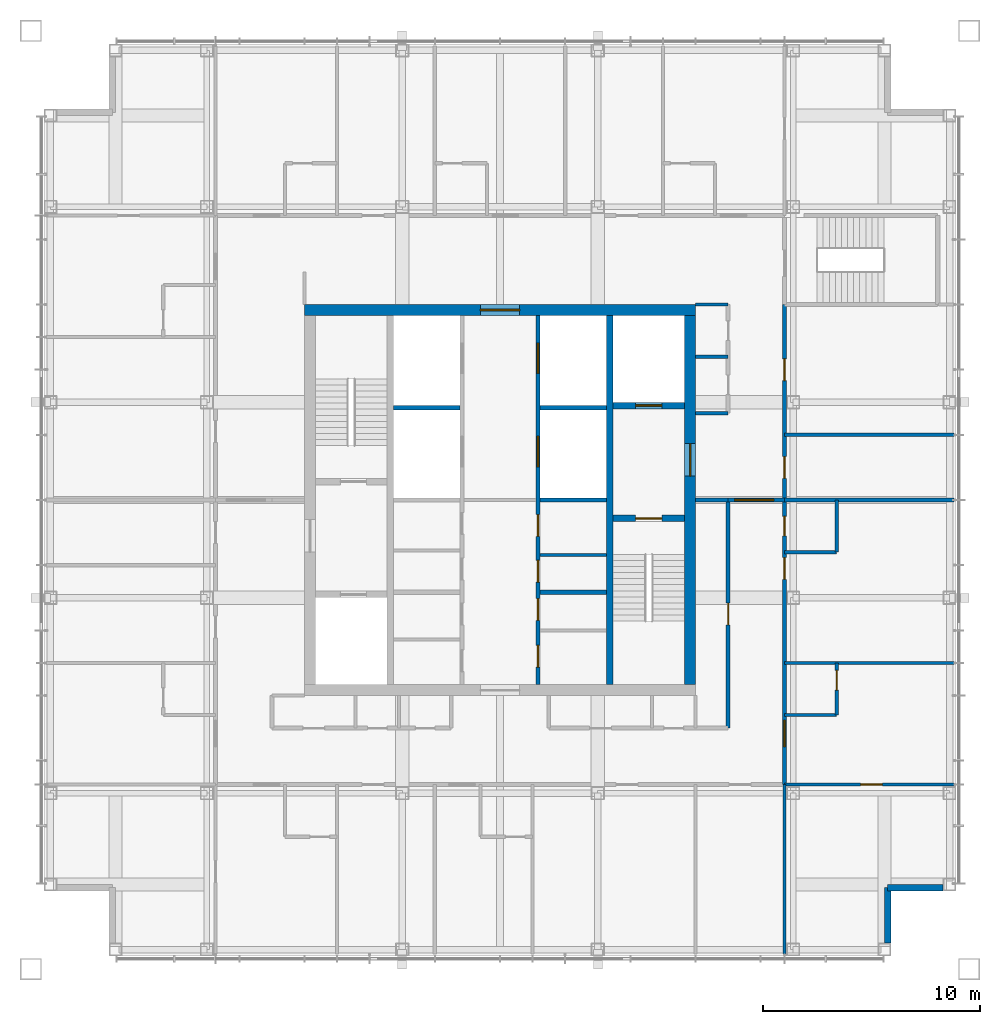
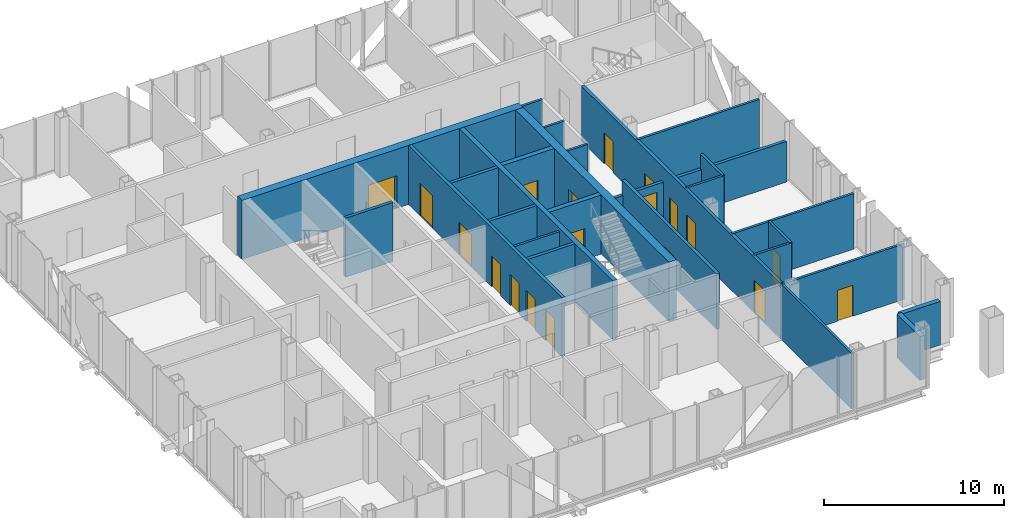
# One storey, part 9 of 13: 29 walls, 19 doors, 19 openings.
"""IFC4 building model written with IfcOpenShell, lengths in metres."""

from ifc_helpers import new_model, si_unit, direction, frame, frame_2d, origin, place, context, subcontext, project, spatial, rectangle, extrude, material, layer, layer_set, type_object, element, fill, save


model = new_model("IFC4")

# Units and contexts
model_context = context("Model", 3, precision=1e-05, world=origin(), true_north=direction((0.0, 1.0)))
body_context = subcontext(model_context, "Body", "Model", "MODEL_VIEW")
ifc_project = project(units=[si_unit("LENGTHUNIT", "METRE"), si_unit("AREAUNIT", "SQUARE_METRE"), si_unit("VOLUMEUNIT", "CUBIC_METRE"), si_unit("PLANEANGLEUNIT", "RADIAN"), si_unit("MASSUNIT", "GRAM", prefix="KILO")], contexts=[model_context])

# Site, building, storey
site_placement = place(None, origin())
site = spatial("IfcSite", under=ifc_project, at=site_placement, CompositionType="ELEMENT")
building_placement = place(site_placement, origin())
building = spatial("IfcBuilding", under=site, at=building_placement, Name="Malebo Sky Hospital", CompositionType="ELEMENT")
storey_placement = place(building_placement, frame((0.0, 0.0, 274.0)))
storey = spatial("IfcBuildingStorey", under=building, at=storey_placement, Name="L66", CompositionType="ELEMENT", Elevation=274.0)

# Wall, openings, doors
ifc_material_1 = material(Name="Concrete C80/95", Category="concrete")
ifc_layer_1 = layer(ifc_material_1, 0.199951171875)
ifc_layer_set_1 = layer_set([ifc_layer_1], Name="CORE INNER WALL 200")
wall_type_1 = type_object("IfcWallType", Name="CORE INNER WALL 200", PredefinedType="SHEAR", material=ifc_layer_set_1)
wall_1_placement = place(storey_placement, frame((61.75, 53.5, 0.0), z_axis=(0.0, 0.0, 1.0), x_axis=(0.0, 1.0, 0.0)))
wall_1 = element("IfcWall", 1, at=wall_1_placement, inside=storey, type_object=wall_type_1, Name="Core wall LE L66", PredefinedType="SHEAR", context=body_context, shape_type="SweptSolid", body=[
    extrude(rectangle(XDim=17.0, YDim=0.199951171875, at=frame_2d((8.5, 0.0))), origin(), (0.0, 0.0, 1.0), 4.0),
])
opening_1_placement = place(wall_1_placement, frame((0.8076171875, 0.0, 0.0)))
opening_1 = element("IfcOpeningElement", 2, at=opening_1_placement, cuts=wall_1, Name="Opening D17", PredefinedType="OPENING", context=body_context, shape_type="SweptSolid", body=[
    extrude(rectangle(XDim=1.0, YDim=2.10009765625, at=frame_2d((0.5, 1.050048828125))), frame((0.0, 0.10986328125, 0.0), z_axis=(0.0, -1.0, 0.0), x_axis=(1.0, 0.0, 0.0)), (0.0, 0.0, 1.0), 0.219970703125),
])
opening_2_placement = place(wall_1_placement, frame((2.95751953125, 0.0, 0.0)))
opening_2 = element("IfcOpeningElement", 3, at=opening_2_placement, cuts=wall_1, Name="Opening D17", PredefinedType="OPENING", context=body_context, shape_type="SweptSolid", body=[
    extrude(rectangle(XDim=1.0, YDim=2.10009765625, at=frame_2d((0.5, 1.050048828125))), frame((0.0, 0.10986328125, 0.0), z_axis=(0.0, -1.0, 0.0), x_axis=(1.0, 0.0, 0.0)), (0.0, 0.0, 1.0), 0.219970703125),
])
opening_3_placement = place(wall_1_placement, frame((4.722412109375, 0.0, 0.0)))
opening_3 = element("IfcOpeningElement", 4, at=opening_3_placement, cuts=wall_1, Name="Opening D17", PredefinedType="OPENING", context=body_context, shape_type="SweptSolid", body=[
    extrude(rectangle(XDim=1.0, YDim=2.10009765625, at=frame_2d((0.5, 1.050048828125))), frame((0.0, 0.10986328125, 0.0), z_axis=(0.0, -1.0, 0.0), x_axis=(1.0, 0.0, 0.0)), (0.0, 0.0, 1.0), 0.219970703125),
])
opening_4_placement = place(wall_1_placement, frame((6.822509765625, 0.0, 0.0)))
opening_4 = element("IfcOpeningElement", 5, at=opening_4_placement, cuts=wall_1, Name="Opening D17", PredefinedType="OPENING", context=body_context, shape_type="SweptSolid", body=[
    extrude(rectangle(XDim=1.0, YDim=2.10009765625, at=frame_2d((0.5, 1.050048828125))), frame((0.0, 0.10986328125, 0.0), z_axis=(0.0, -1.0, 0.0), x_axis=(1.0, 0.0, 0.0)), (0.0, 0.0, 1.0), 0.219970703125),
])
opening_5_placement = place(wall_1_placement, frame((10.02490234375, 0.0, 0.0)))
opening_5 = element("IfcOpeningElement", 6, at=opening_5_placement, cuts=wall_1, Name="Opening LD1", PredefinedType="OPENING", context=body_context, shape_type="SweptSolid", body=[
    extrude(rectangle(XDim=1.39990234375, YDim=2.199951171875, at=frame_2d((0.699951171875, 1.10009765625))), frame((0.0, 0.10986328125, 0.0), z_axis=(0.0, -1.0, 0.0), x_axis=(1.0, 0.0, 0.0)), (0.0, 0.0, 1.0), 0.219970703125),
])
opening_6_placement = place(wall_1_placement, frame((14.324951171875, 0.0, 0.0)))
opening_6 = element("IfcOpeningElement", 7, at=opening_6_placement, cuts=wall_1, Name="Opening LD1", PredefinedType="OPENING", context=body_context, shape_type="SweptSolid", body=[
    extrude(rectangle(XDim=1.39990234375, YDim=2.199951171875, at=frame_2d((0.699951171875, 1.10009765625))), frame((0.0, 0.10986328125, 0.0), z_axis=(0.0, -1.0, 0.0), x_axis=(1.0, 0.0, 0.0)), (0.0, 0.0, 1.0), 0.219970703125),
])
ifc_material_2 = material(Name="Hardwood-faced door leaf in steel frame", Category="steel")
door_type_1 = type_object("IfcDoorType", Name="FIRE DOOR 1000", OperationType="SINGLE_SWING_LEFT", PredefinedType="DOOR", material=ifc_material_2)
door_1_placement = place(opening_1_placement, origin())
door_1 = element("IfcDoor", 8, at=door_1_placement, inside=storey, type_object=door_type_1, Name="Cleaning equipment store door", OperationType="SINGLE_SWING_RIGHT", OverallHeight=2.10009765625, OverallWidth=1.0, PredefinedType="DOOR", context=body_context, shape_type="SweptSolid", body=[
    extrude(rectangle(XDim=1.0, YDim=2.10009765625, at=frame_2d((0.5, 1.050048828125))), frame((0.0, 0.02490234375, 0.0), z_axis=(0.0, -1.0, 0.0), x_axis=(1.0, 0.0, 0.0)), (0.0, 0.0, 1.0), 0.050048828125),
])
fill(opening_1, door_1)
door_2_placement = place(opening_2_placement, origin())
door_2 = element("IfcDoor", 9, at=door_2_placement, inside=storey, type_object=door_type_1, Name="Archive store door", OperationType="SINGLE_SWING_RIGHT", OverallHeight=2.10009765625, OverallWidth=1.0, PredefinedType="DOOR", context=body_context, shape_type="SweptSolid", body=[
    extrude(rectangle(XDim=1.0, YDim=2.10009765625, at=frame_2d((0.5, 1.050048828125))), frame((0.0, 0.02490234375, 0.0), z_axis=(0.0, -1.0, 0.0), x_axis=(1.0, 0.0, 0.0)), (0.0, 0.0, 1.0), 0.050048828125),
])
fill(opening_2, door_2)
door_3_placement = place(opening_3_placement, origin())
door_3 = element("IfcDoor", 10, at=door_3_placement, inside=storey, type_object=door_type_1, Name="General store door", OperationType="SINGLE_SWING_RIGHT", OverallHeight=2.10009765625, OverallWidth=1.0, PredefinedType="DOOR", context=body_context, shape_type="SweptSolid", body=[
    extrude(rectangle(XDim=1.0, YDim=2.10009765625, at=frame_2d((0.5, 1.050048828125))), frame((0.0, 0.02490234375, 0.0), z_axis=(0.0, -1.0, 0.0), x_axis=(1.0, 0.0, 0.0)), (0.0, 0.0, 1.0), 0.050048828125),
])
fill(opening_3, door_3)
door_4_placement = place(opening_4_placement, origin())
door_4 = element("IfcDoor", 11, at=door_4_placement, inside=storey, type_object=door_type_1, Name="Records store door", OperationType="SINGLE_SWING_RIGHT", OverallHeight=2.10009765625, OverallWidth=1.0, PredefinedType="DOOR", context=body_context, shape_type="SweptSolid", body=[
    extrude(rectangle(XDim=1.0, YDim=2.10009765625, at=frame_2d((0.5, 1.050048828125))), frame((0.0, 0.02490234375, 0.0), z_axis=(0.0, -1.0, 0.0), x_axis=(1.0, 0.0, 0.0)), (0.0, 0.0, 1.0), 0.050048828125),
])
fill(opening_4, door_4)
ifc_material_3 = material(Name="Stainless steel sliding landing door", Category="steel")
door_type_2 = type_object("IfcDoorType", Name="LIFT LANDING DOOR 1400", OperationType="SLIDING_TO_LEFT", PredefinedType="DOOR", material=ifc_material_3)
door_5_placement = place(opening_5_placement, origin())
door_5 = element("IfcDoor", 12, at=door_5_placement, inside=storey, type_object=door_type_2, Name="Lift E3 landing door", OperationType="SLIDING_TO_LEFT", OverallHeight=2.199951171875, OverallWidth=1.39990234375, PredefinedType="DOOR", context=body_context, shape_type="SweptSolid", body=[
    extrude(rectangle(XDim=1.39990234375, YDim=2.199951171875, at=frame_2d((0.699951171875, 1.10009765625))), frame((0.0, 0.02490234375, 0.0), z_axis=(0.0, -1.0, 0.0), x_axis=(1.0, 0.0, 0.0)), (0.0, 0.0, 1.0), 0.050048828125),
])
fill(opening_5, door_5)
door_6_placement = place(opening_6_placement, origin())
door_6 = element("IfcDoor", 13, at=door_6_placement, inside=storey, type_object=door_type_2, Name="Lift E4 landing door", OperationType="SLIDING_TO_LEFT", OverallHeight=2.199951171875, OverallWidth=1.39990234375, PredefinedType="DOOR", context=body_context, shape_type="SweptSolid", body=[
    extrude(rectangle(XDim=1.39990234375, YDim=2.199951171875, at=frame_2d((0.699951171875, 1.10009765625))), frame((0.0, 0.02490234375, 0.0), z_axis=(0.0, -1.0, 0.0), x_axis=(1.0, 0.0, 0.0)), (0.0, 0.0, 1.0), 0.050048828125),
])
fill(opening_6, door_6)

# Walls
for number, where, z_axis, x_axis, name in (
    (14, (61.85009765625, 57.75, 0.0), (0.0, 0.0, 1.0), (1.0, 0.0, 0.0), "Core wall SE0 L66"),
    (15, (61.85009765625, 62.0, 0.0), (0.0, 0.0, 1.0), (1.0, 0.0, 0.0), "Core wall SE1 L66"),
    (16, (55.10009765625, 66.25, 0.0), (0.0, 0.0, 1.0), (1.0, 0.0, 0.0), "Core wall SW2 L66"),
    (17, (61.85009765625, 66.25, 0.0), (0.0, 0.0, 1.0), (1.0, 0.0, 0.0), "Core wall SE2 L66"),
):
    element("IfcWall", number, at=place(storey_placement, frame(where, z_axis=z_axis, x_axis=x_axis)), inside=storey, type_object=wall_type_1, Name=name, PredefinedType="SHEAR", context=body_context, shape_type="SweptSolid", body=[
        extrude(rectangle(XDim=3.0498046875, YDim=0.199951171875, at=frame_2d((1.52490234375, 0.0))), origin(), (0.0, 0.0, 1.0), 4.0),
    ])
ifc_layer_2 = layer(ifc_material_1, 0.300048828125)
ifc_layer_set_2 = layer_set([ifc_layer_2], Name="CORE INNER WALL 300")
wall_type_2 = type_object("IfcWallType", Name="CORE INNER WALL 300", PredefinedType="SHEAR", material=ifc_layer_set_2)
wall_2_placement = place(storey_placement, frame((65.050048828125, 53.5, 0.0), z_axis=(0.0, 0.0, 1.0), x_axis=(0.0, 1.0, 0.0)))
element("IfcWall", 18, at=wall_2_placement, inside=storey, type_object=wall_type_2, Name="Core wall XE L66", PredefinedType="SHEAR", context=body_context, shape_type="SweptSolid", body=[
    extrude(rectangle(XDim=17.0, YDim=0.300048828125, at=frame_2d((8.5, 0.0))), origin(), (0.0, 0.0, 1.0), 4.0),
])

# Wall, opening, door
wall_3_placement = place(storey_placement, frame((65.199951171875, 61.14990234375, 0.0), z_axis=(0.0, 0.0, 1.0), x_axis=(1.0, 0.0, 0.0)))
wall_3 = element("IfcWall", 19, at=wall_3_placement, inside=storey, type_object=wall_type_2, Name="Core wall E1 L66", PredefinedType="SHEAR", context=body_context, shape_type="SweptSolid", body=[
    extrude(rectangle(XDim=3.300048828125, YDim=0.300048828125, at=frame_2d((1.64990234375, 0.0))), origin(), (0.0, 0.0, 1.0), 4.0),
])
opening_7_placement = place(wall_3_placement, frame((1.050048828125, 0.0, 0.0)))
opening_7 = element("IfcOpeningElement", 20, at=opening_7_placement, cuts=wall_3, Name="Opening D08", PredefinedType="OPENING", context=body_context, shape_type="SweptSolid", body=[
    extrude(rectangle(XDim=1.199951171875, YDim=2.10009765625, at=frame_2d((0.60009765625, 1.050048828125))), frame((0.0, 0.159912109375, 0.0), z_axis=(0.0, -1.0, 0.0), x_axis=(1.0, 0.0, 0.0)), (0.0, 0.0, 1.0), 0.320068359375),
])
door_type_3 = type_object("IfcDoorType", Name="STAIR DOOR 1200", OperationType="SINGLE_SWING_LEFT", PredefinedType="DOOR", material=ifc_material_2)
door_7_placement = place(opening_7_placement, origin())
door_7 = element("IfcDoor", 21, at=door_7_placement, inside=storey, type_object=door_type_3, Name="Stair S2 door", OperationType="SINGLE_SWING_LEFT", OverallHeight=2.10009765625, OverallWidth=1.199951171875, PredefinedType="DOOR", context=body_context, shape_type="SweptSolid", body=[
    extrude(rectangle(XDim=1.199951171875, YDim=2.10009765625, at=frame_2d((0.60009765625, 1.050048828125))), frame((0.0, 0.02490234375, 0.0), z_axis=(0.0, -1.0, 0.0), x_axis=(1.0, 0.0, 0.0)), (0.0, 0.0, 1.0), 0.050048828125),
])
fill(opening_7, door_7)

wall_4_placement = place(storey_placement, frame((65.199951171875, 66.35009765625, 0.0), z_axis=(0.0, 0.0, 1.0), x_axis=(1.0, 0.0, 0.0)))
wall_4 = element("IfcWall", 22, at=wall_4_placement, inside=storey, type_object=wall_type_2, Name="Core wall E2 L66", PredefinedType="SHEAR", context=body_context, shape_type="SweptSolid", body=[
    extrude(rectangle(XDim=3.300048828125, YDim=0.300048828125, at=frame_2d((1.64990234375, 0.0))), origin(), (0.0, 0.0, 1.0), 4.0),
])
opening_8_placement = place(wall_4_placement, frame((1.050048828125, 0.0, 0.0)))
opening_8 = element("IfcOpeningElement", 23, at=opening_8_placement, cuts=wall_4, Name="Opening LD2", PredefinedType="OPENING", context=body_context, shape_type="SweptSolid", body=[
    extrude(rectangle(XDim=1.199951171875, YDim=2.199951171875, at=frame_2d((0.60009765625, 1.10009765625))), frame((0.0, 0.159912109375, 0.0), z_axis=(0.0, -1.0, 0.0), x_axis=(1.0, 0.0, 0.0)), (0.0, 0.0, 1.0), 0.320068359375),
])
door_type_4 = type_object("IfcDoorType", Name="FIRE-FIGHTING LIFT LANDING DOOR 1200", OperationType="SLIDING_TO_LEFT", PredefinedType="DOOR", material=ifc_material_3)
door_8_placement = place(opening_8_placement, origin())
door_8 = element("IfcDoor", 24, at=door_8_placement, inside=storey, type_object=door_type_4, Name="Lift FL2 landing door", OperationType="SLIDING_TO_LEFT", OverallHeight=2.199951171875, OverallWidth=1.199951171875, PredefinedType="DOOR", context=body_context, shape_type="SweptSolid", body=[
    extrude(rectangle(XDim=1.199951171875, YDim=2.199951171875, at=frame_2d((0.60009765625, 1.10009765625))), frame((0.0, 0.02490234375, 0.0), z_axis=(0.0, -1.0, 0.0), x_axis=(1.0, 0.0, 0.0)), (0.0, 0.0, 1.0), 0.050048828125),
])
fill(opening_8, door_8)

ifc_layer_3 = layer(ifc_material_1, 0.5)
ifc_layer_set_3 = layer_set([ifc_layer_3], Name="CORE WALL 500")
wall_type_3 = type_object("IfcWallType", Name="CORE WALL 500", PredefinedType="SHEAR", material=ifc_layer_set_3)
wall_5_placement = place(storey_placement, frame((51.0, 70.75, 0.0), z_axis=(0.0, 0.0, 1.0), x_axis=(1.0, 0.0, 0.0)))
wall_5 = element("IfcWall", 25, at=wall_5_placement, inside=storey, type_object=wall_type_3, Name="Core wall N L66", PredefinedType="SHEAR", context=body_context, shape_type="SweptSolid", body=[
    extrude(rectangle(XDim=18.0, YDim=0.5, at=frame_2d((9.0, 0.0))), origin(), (0.0, 0.0, 1.0), 4.0),
])
opening_9_placement = place(wall_5_placement, frame((8.10009765625, 0.0, 0.0)))
opening_9 = element("IfcOpeningElement", 26, at=opening_9_placement, cuts=wall_5, Name="Opening D06", PredefinedType="OPENING", context=body_context, shape_type="SweptSolid", body=[
    extrude(rectangle(XDim=1.800048828125, YDim=2.199951171875, at=frame_2d((0.89990234375, 1.10009765625))), frame((0.0, 0.260009765625, 0.0), z_axis=(0.0, -1.0, 0.0), x_axis=(1.0, 0.0, 0.0)), (0.0, 0.0, 1.0), 0.52001953125),
])
door_type_5 = type_object("IfcDoorType", Name="LOBBY DOOR PAIR 1800", OperationType="DOUBLE_DOOR_SINGLE_SWING", PredefinedType="DOOR", material=ifc_material_2)
door_9_placement = place(opening_9_placement, origin())
door_9 = element("IfcDoor", 27, at=door_9_placement, inside=storey, type_object=door_type_5, Name="Lift lobby door north", OperationType="DOUBLE_DOOR_SINGLE_SWING", OverallHeight=2.199951171875, OverallWidth=1.800048828125, PredefinedType="DOOR", context=body_context, shape_type="SweptSolid", body=[
    extrude(rectangle(XDim=1.800048828125, YDim=2.199951171875, at=frame_2d((0.89990234375, 1.10009765625))), frame((0.0, 0.02490234375, 0.0), z_axis=(0.0, -1.0, 0.0), x_axis=(1.0, 0.0, 0.0)), (0.0, 0.0, 1.0), 0.050048828125),
])
fill(opening_9, door_9)

wall_6_placement = place(storey_placement, frame((68.75, 53.5, 0.0), z_axis=(0.0, 0.0, 1.0), x_axis=(0.0, 1.0, 0.0)))
wall_6 = element("IfcWall", 28, at=wall_6_placement, inside=storey, type_object=wall_type_3, Name="Core wall E L66", PredefinedType="SHEAR", context=body_context, shape_type="SweptSolid", body=[
    extrude(rectangle(XDim=17.0, YDim=0.5, at=frame_2d((8.5, 0.0))), origin(), (0.0, 0.0, 1.0), 4.0),
])
opening_10_placement = place(wall_6_placement, frame((9.60009765625, 0.0, 0.0)))
opening_10 = element("IfcOpeningElement", 29, at=opening_10_placement, cuts=wall_6, Name="Opening D07", PredefinedType="OPENING", context=body_context, shape_type="SweptSolid", body=[
    extrude(rectangle(XDim=1.5, YDim=2.199951171875, at=frame_2d((0.75, 1.10009765625))), frame((0.0, 0.260009765625, 0.0), z_axis=(0.0, -1.0, 0.0), x_axis=(1.0, 0.0, 0.0)), (0.0, 0.0, 1.0), 0.52001953125),
])
door_type_6 = type_object("IfcDoorType", Name="FIRE-FIGHTING LOBBY DOOR PAIR 1500", OperationType="DOUBLE_DOOR_SINGLE_SWING", PredefinedType="DOOR", material=ifc_material_2)
door_10_placement = place(opening_10_placement, origin())
door_10 = element("IfcDoor", 30, at=door_10_placement, inside=storey, type_object=door_type_6, Name="Fire-fighting lobby door east", OperationType="DOUBLE_DOOR_SINGLE_SWING", OverallHeight=2.199951171875, OverallWidth=1.5, PredefinedType="DOOR", context=body_context, shape_type="SweptSolid", body=[
    extrude(rectangle(XDim=1.5, YDim=2.199951171875, at=frame_2d((0.75, 1.10009765625))), frame((0.0, 0.02490234375, 0.0), z_axis=(0.0, -1.0, 0.0), x_axis=(1.0, 0.0, 0.0)), (0.0, 0.0, 1.0), 0.050048828125),
])
fill(opening_10, door_10)

# Wall, openings, doors
ifc_material_4 = material(Name="Gypsum board on steel studs", Category="steel")
ifc_layer_4 = layer(ifc_material_4, 0.199951171875)
ifc_layer_set_4 = layer_set([ifc_layer_4], Name="CORRIDOR WALL 200")
wall_type_4 = type_object("IfcWallType", Name="CORRIDOR WALL 200", PredefinedType="PARTITIONING", material=ifc_layer_set_4)
wall_7_placement = place(storey_placement, frame((73.10009765625, 71.0, 0.0), z_axis=(0.0, 0.0, 1.0), x_axis=(0.0, -1.0, 0.0)))
wall_7 = element("IfcWall", 31, at=wall_7_placement, inside=storey, type_object=wall_type_4, Name="Corridor Wall 200 ECO", PredefinedType="PARTITIONING", context=body_context, shape_type="SweptSolid", body=[
    extrude(rectangle(XDim=22.10009765625, YDim=0.199951171875, at=frame_2d((11.050048828125, 0.0))), origin(), (0.0, 0.0, 1.0), 3.75),
])
opening_11_placement = place(wall_7_placement, frame((2.5, 0.0, 0.0)))
opening_11 = element("IfcOpeningElement", 32, at=opening_11_placement, cuts=wall_7, Name="Opening D03", PredefinedType="OPENING", context=body_context, shape_type="SweptSolid", body=[
    extrude(rectangle(XDim=1.0, YDim=2.10009765625, at=frame_2d((0.5, 1.050048828125))), frame((0.0, 0.10986328125, 0.0), z_axis=(0.0, -1.0, 0.0), x_axis=(1.0, 0.0, 0.0)), (0.0, 0.0, 1.0), 0.219970703125),
])
opening_12_placement = place(wall_7_placement, frame((7.0, 0.0, 0.0)))
opening_12 = element("IfcOpeningElement", 33, at=opening_12_placement, cuts=wall_7, Name="Opening D03", PredefinedType="OPENING", context=body_context, shape_type="SweptSolid", body=[
    extrude(rectangle(XDim=1.0, YDim=2.10009765625, at=frame_2d((0.5, 1.050048828125))), frame((0.0, 0.10986328125, 0.0), z_axis=(0.0, -1.0, 0.0), x_axis=(1.0, 0.0, 0.0)), (0.0, 0.0, 1.0), 0.219970703125),
])
opening_13_placement = place(wall_7_placement, frame((9.75, 0.0, 0.0)))
opening_13 = element("IfcOpeningElement", 34, at=opening_13_placement, cuts=wall_7, Name="Opening D04", PredefinedType="OPENING", context=body_context, shape_type="SweptSolid", body=[
    extrude(rectangle(XDim=0.89990234375, YDim=2.10009765625, at=frame_2d((0.449951171875, 1.050048828125))), frame((0.0, 0.10986328125, 0.0), z_axis=(0.0, -1.0, 0.0), x_axis=(1.0, 0.0, 0.0)), (0.0, 0.0, 1.0), 0.219970703125),
])
opening_14_placement = place(wall_7_placement, frame((11.64990234375, 0.0, 0.0)))
opening_14 = element("IfcOpeningElement", 35, at=opening_14_placement, cuts=wall_7, Name="Opening D03", PredefinedType="OPENING", context=body_context, shape_type="SweptSolid", body=[
    extrude(rectangle(XDim=1.0, YDim=2.10009765625, at=frame_2d((0.5, 1.050048828125))), frame((0.0, 0.10986328125, 0.0), z_axis=(0.0, -1.0, 0.0), x_axis=(1.0, 0.0, 0.0)), (0.0, 0.0, 1.0), 0.219970703125),
])
opening_15_placement = place(wall_7_placement, frame((19.14990234375, 0.0, 0.0)))
opening_15 = element("IfcOpeningElement", 36, at=opening_15_placement, cuts=wall_7, Name="Opening D01", PredefinedType="OPENING", context=body_context, shape_type="SweptSolid", body=[
    extrude(rectangle(XDim=1.199951171875, YDim=2.199951171875, at=frame_2d((0.60009765625, 1.10009765625))), frame((0.0, 0.10986328125, 0.0), z_axis=(0.0, -1.0, 0.0), x_axis=(1.0, 0.0, 0.0)), (0.0, 0.0, 1.0), 0.219970703125),
])
door_type_7 = type_object("IfcDoorType", Name="BED DOOR 1200", OperationType="SINGLE_SWING_LEFT", PredefinedType="DOOR", material=ifc_material_2)
door_11_placement = place(opening_15_placement, origin())
door_11 = element("IfcDoor", 37, at=door_11_placement, inside=storey, type_object=door_type_7, Name="Private patient suite door", OperationType="SINGLE_SWING_LEFT", OverallHeight=2.199951171875, OverallWidth=1.199951171875, PredefinedType="DOOR", context=body_context, shape_type="SweptSolid", body=[
    extrude(rectangle(XDim=1.199951171875, YDim=2.199951171875, at=frame_2d((0.60009765625, 1.10009765625))), frame((0.0, 0.02490234375, 0.0), z_axis=(0.0, -1.0, 0.0), x_axis=(1.0, 0.0, 0.0)), (0.0, 0.0, 1.0), 0.050048828125),
])
fill(opening_15, door_11)
door_type_8 = type_object("IfcDoorType", Name="ROOM DOOR 1000", OperationType="SINGLE_SWING_LEFT", PredefinedType="DOOR", material=ifc_material_2)
door_12_placement = place(opening_11_placement, origin())
door_12 = element("IfcDoor", 38, at=door_12_placement, inside=storey, type_object=door_type_8, Name="Interview room door", OperationType="SINGLE_SWING_LEFT", OverallHeight=2.10009765625, OverallWidth=1.0, PredefinedType="DOOR", context=body_context, shape_type="SweptSolid", body=[
    extrude(rectangle(XDim=1.0, YDim=2.10009765625, at=frame_2d((0.5, 1.050048828125))), frame((0.0, 0.02490234375, 0.0), z_axis=(0.0, -1.0, 0.0), x_axis=(1.0, 0.0, 0.0)), (0.0, 0.0, 1.0), 0.050048828125),
])
fill(opening_11, door_12)
door_13_placement = place(opening_12_placement, origin())
door_13 = element("IfcDoor", 39, at=door_13_placement, inside=storey, type_object=door_type_8, Name="Ward pantry door", OperationType="SINGLE_SWING_RIGHT", OverallHeight=2.10009765625, OverallWidth=1.0, PredefinedType="DOOR", context=body_context, shape_type="SweptSolid", body=[
    extrude(rectangle(XDim=1.0, YDim=2.10009765625, at=frame_2d((0.5, 1.050048828125))), frame((0.0, 0.02490234375, 0.0), z_axis=(0.0, -1.0, 0.0), x_axis=(1.0, 0.0, 0.0)), (0.0, 0.0, 1.0), 0.050048828125),
])
fill(opening_12, door_13)
door_14_placement = place(opening_14_placement, origin())
door_14 = element("IfcDoor", 40, at=door_14_placement, inside=storey, type_object=door_type_8, Name="Staff rest room door", OperationType="SINGLE_SWING_LEFT", OverallHeight=2.10009765625, OverallWidth=1.0, PredefinedType="DOOR", context=body_context, shape_type="SweptSolid", body=[
    extrude(rectangle(XDim=1.0, YDim=2.10009765625, at=frame_2d((0.5, 1.050048828125))), frame((0.0, 0.02490234375, 0.0), z_axis=(0.0, -1.0, 0.0), x_axis=(1.0, 0.0, 0.0)), (0.0, 0.0, 1.0), 0.050048828125),
])
fill(opening_14, door_14)
door_type_9 = type_object("IfcDoorType", Name="ROOM DOOR 900", OperationType="SINGLE_SWING_LEFT", PredefinedType="DOOR", material=ifc_material_2)
door_15_placement = place(opening_13_placement, origin())
door_15 = element("IfcDoor", 41, at=door_15_placement, inside=storey, type_object=door_type_9, Name="Accessible WC door", OperationType="SINGLE_SWING_LEFT", OverallHeight=2.10009765625, OverallWidth=0.89990234375, PredefinedType="DOOR", context=body_context, shape_type="SweptSolid", body=[
    extrude(rectangle(XDim=0.89990234375, YDim=2.10009765625, at=frame_2d((0.449951171875, 1.050048828125))), frame((0.0, 0.02490234375, 0.0), z_axis=(0.0, -1.0, 0.0), x_axis=(1.0, 0.0, 0.0)), (0.0, 0.0, 1.0), 0.050048828125),
])
fill(opening_13, door_15)

# Wall, opening, door
wall_8_placement = place(storey_placement, frame((70.5, 62.0, 0.0), z_axis=(0.0, 0.0, 1.0), x_axis=(0.0, -1.0, 0.0)))
wall_8 = element("IfcWall", 42, at=wall_8_placement, inside=storey, type_object=wall_type_4, Name="Corridor Wall 200 ECI2", PredefinedType="PARTITIONING", context=body_context, shape_type="SweptSolid", body=[
    extrude(rectangle(XDim=10.5, YDim=0.199951171875, at=frame_2d((5.25, 0.0))), origin(), (0.0, 0.0, 1.0), 3.75),
])
opening_16_placement = place(wall_8_placement, frame((4.75, 0.0, 0.0)))
opening_16 = element("IfcOpeningElement", 43, at=opening_16_placement, cuts=wall_8, Name="Opening D03", PredefinedType="OPENING", context=body_context, shape_type="SweptSolid", body=[
    extrude(rectangle(XDim=1.0, YDim=2.10009765625, at=frame_2d((0.5, 1.050048828125))), frame((0.0, 0.10986328125, 0.0), z_axis=(0.0, -1.0, 0.0), x_axis=(1.0, 0.0, 0.0)), (0.0, 0.0, 1.0), 0.219970703125),
])
door_16_placement = place(opening_16_placement, origin())
door_16 = element("IfcDoor", 44, at=door_16_placement, inside=storey, type_object=door_type_8, Name="Supplies store door", OperationType="SINGLE_SWING_LEFT", OverallHeight=2.10009765625, OverallWidth=1.0, PredefinedType="DOOR", context=body_context, shape_type="SweptSolid", body=[
    extrude(rectangle(XDim=1.0, YDim=2.10009765625, at=frame_2d((0.5, 1.050048828125))), frame((0.0, 0.02490234375, 0.0), z_axis=(0.0, -1.0, 0.0), x_axis=(1.0, 0.0, 0.0)), (0.0, 0.0, 1.0), 0.050048828125),
])
fill(opening_16, door_16)

# Walls
ifc_material_5 = material(Name="Anodised aluminium rainscreen on steel framing", Category="steel")
ifc_layer_5 = layer(ifc_material_5, 0.300048828125)
ifc_layer_set_5 = layer_set([ifc_layer_5], Name="NOTCH RAINSCREEN WALL 300")
wall_type_5 = type_object("IfcWallType", Name="NOTCH RAINSCREEN WALL 300", PredefinedType="ELEMENTEDWALL", material=ifc_layer_set_5)
for number, where, z_axis, x_axis, name in (
    (45, (80.39990234375, 44.14990234375, 0.0), (0.0, 0.0, 1.0), (-1.0, 0.0, 0.0), "Notch rainscreen wall E1 L66"),
    (46, (77.85009765625, 44.14990234375, 0.0), (0.0, 0.0, 1.0), (0.0, -1.0, 0.0), "Notch rainscreen wall E2 L66"),
):
    element("IfcWall", number, at=place(storey_placement, frame(where, z_axis=z_axis, x_axis=x_axis)), inside=storey, type_object=wall_type_5, Name=name, PredefinedType="ELEMENTEDWALL", context=body_context, shape_type="SweptSolid", body=[
        extrude(rectangle(XDim=2.5498046875, YDim=0.300048828125, at=frame_2d((1.27490234375, 0.0))), origin(), (0.0, 0.0, 1.0), 2.949951171875),
    ])
ifc_layer_6 = layer(ifc_material_4, 0.14990234375)
ifc_layer_set_6 = layer_set([ifc_layer_6], Name="PARTITION 150")
wall_type_6 = type_object("IfcWallType", Name="PARTITION 150", PredefinedType="PARTITIONING", material=ifc_layer_set_6)
for number, where, z_axis, x_axis, name in (
    (47, (73.10009765625, 48.89990234375, 0.0), (0.0, 0.0, 1.0), (0.0, -1.0, 0.0), "Partition 150 SP0"),
    (48, (73.10009765625, 65.0, 0.0), (0.0, 0.0, 1.0), (1.0, 0.0, 0.0), "Partition 150 EP-3.0"),
    (49, (73.10009765625, 54.5, 0.0), (0.0, 0.0, 1.0), (1.0, 0.0, 0.0), "Partition 150 EP+7.5"),
):
    element("IfcWall", number, at=place(storey_placement, frame(where, z_axis=z_axis, x_axis=x_axis)), inside=storey, type_object=wall_type_6, Name=name, PredefinedType="PARTITIONING", context=body_context, shape_type="SweptSolid", body=[
        extrude(rectangle(XDim=7.7998046875, YDim=0.14990234375, at=frame_2d((3.89990234375, 0.0))), origin(), (0.0, 0.0, 1.0), 3.75),
    ])
for number, where, z_axis, x_axis, name in (
    (50, (75.5, 62.0, 0.0), (0.0, 0.0, 1.0), (0.0, -1.0, 0.0), "Partition 150 EC3F"),
    (51, (73.10009765625, 59.60009765625, 0.0), (0.0, 0.0, 1.0), (1.0, 0.0, 0.0), "Partition 150 EC3S"),
):
    element("IfcWall", number, at=place(storey_placement, frame(where, z_axis=z_axis, x_axis=x_axis)), inside=storey, type_object=wall_type_6, Name=name, PredefinedType="PARTITIONING", context=body_context, shape_type="SweptSolid", body=[
        extrude(rectangle(XDim=2.39990234375, YDim=0.14990234375, at=frame_2d((1.199951171875, 0.0))), origin(), (0.0, 0.0, 1.0), 3.75),
    ])

# Wall, opening, door
wall_9_placement = place(storey_placement, frame((73.10009765625, 48.89990234375, 0.0), z_axis=(0.0, 0.0, 1.0), x_axis=(1.0, 0.0, 0.0)))
wall_9 = element("IfcWall", 52, at=wall_9_placement, inside=storey, type_object=wall_type_6, Name="Partition 150 EK", PredefinedType="PARTITIONING", context=body_context, shape_type="SweptSolid", body=[
    extrude(rectangle(XDim=7.7998046875, YDim=0.14990234375, at=frame_2d((3.89990234375, 0.0))), origin(), (0.0, 0.0, 1.0), 3.75),
])
opening_17_placement = place(wall_9_placement, frame((3.5, 0.0, 0.0)))
opening_17 = element("IfcOpeningElement", 53, at=opening_17_placement, cuts=wall_9, Name="Opening D03", PredefinedType="OPENING", context=body_context, shape_type="SweptSolid", body=[
    extrude(rectangle(XDim=1.0, YDim=2.10009765625, at=frame_2d((0.5, 1.050048828125))), frame((0.0, 0.0849609375, 0.0), z_axis=(0.0, -1.0, 0.0), x_axis=(1.0, 0.0, 0.0)), (0.0, 0.0, 1.0), 0.169921875),
])
door_17_placement = place(opening_17_placement, origin())
door_17 = element("IfcDoor", 54, at=door_17_placement, inside=storey, type_object=door_type_8, Name="Suite sitting room door", OperationType="SINGLE_SWING_RIGHT", OverallHeight=2.10009765625, OverallWidth=1.0, PredefinedType="DOOR", context=body_context, shape_type="SweptSolid", body=[
    extrude(rectangle(XDim=1.0, YDim=2.10009765625, at=frame_2d((0.5, 1.050048828125))), frame((0.0, 0.02490234375, 0.0), z_axis=(0.0, -1.0, 0.0), x_axis=(1.0, 0.0, 0.0)), (0.0, 0.0, 1.0), 0.050048828125),
])
fill(opening_17, door_17)

wall_10_placement = place(storey_placement, frame((75.5, 54.5, 0.0), z_axis=(0.0, 0.0, 1.0), x_axis=(0.0, -1.0, 0.0)))
wall_10 = element("IfcWall", 55, at=wall_10_placement, inside=storey, type_object=wall_type_6, Name="Partition 150 EE4F", PredefinedType="PARTITIONING", context=body_context, shape_type="SweptSolid", body=[
    extrude(rectangle(XDim=2.39990234375, YDim=0.14990234375, at=frame_2d((1.199951171875, 0.0))), origin(), (0.0, 0.0, 1.0), 3.75),
])
opening_18_placement = place(wall_10_placement, frame((0.35009765625, 0.0, 0.0)))
opening_18 = element("IfcOpeningElement", 56, at=opening_18_placement, cuts=wall_10, Name="Opening D02", PredefinedType="OPENING", context=body_context, shape_type="SweptSolid", body=[
    extrude(rectangle(XDim=0.89990234375, YDim=2.10009765625, at=frame_2d((0.449951171875, 1.050048828125))), frame((0.0, 0.0849609375, 0.0), z_axis=(0.0, -1.0, 0.0), x_axis=(1.0, 0.0, 0.0)), (0.0, 0.0, 1.0), 0.169921875),
])
door_type_10 = type_object("IfcDoorType", Name="EN-SUITE DOOR 900", OperationType="SINGLE_SWING_LEFT", PredefinedType="DOOR", material=ifc_material_2)
door_18_placement = place(opening_18_placement, origin())
door_18 = element("IfcDoor", 57, at=door_18_placement, inside=storey, type_object=door_type_10, Name="En-suite door", OperationType="SINGLE_SWING_LEFT", OverallHeight=2.10009765625, OverallWidth=0.89990234375, PredefinedType="DOOR", context=body_context, shape_type="SweptSolid", body=[
    extrude(rectangle(XDim=0.89990234375, YDim=2.10009765625, at=frame_2d((0.449951171875, 1.050048828125))), frame((0.0, 0.02490234375, 0.0), z_axis=(0.0, -1.0, 0.0), x_axis=(1.0, 0.0, 0.0)), (0.0, 0.0, 1.0), 0.050048828125),
])
fill(opening_18, door_18)

# Walls
wall_11_placement = place(storey_placement, frame((73.10009765625, 52.10009765625, 0.0), z_axis=(0.0, 0.0, 1.0), x_axis=(1.0, 0.0, 0.0)))
element("IfcWall", 58, at=wall_11_placement, inside=storey, type_object=wall_type_6, Name="Partition 150 EE4S", PredefinedType="PARTITIONING", context=body_context, shape_type="SweptSolid", body=[
    extrude(rectangle(XDim=2.39990234375, YDim=0.14990234375, at=frame_2d((1.199951171875, 0.0))), origin(), (0.0, 0.0, 1.0), 3.75),
])
for number, where, z_axis, x_axis, name in (
    (59, (69.0, 71.0, 0.0), (0.0, 0.0, 1.0), (1.0, 0.0, 0.0), "Partition 150 ESP0"),
    (60, (69.0, 66.0, 0.0), (0.0, 0.0, 1.0), (1.0, 0.0, 0.0), "Partition 150 ESPA"),
    (61, (69.0, 68.60009765625, 0.0), (0.0, 0.0, 1.0), (1.0, 0.0, 0.0), "Partition 150 ESP-6.6"),
):
    element("IfcWall", number, at=place(storey_placement, frame(where, z_axis=z_axis, x_axis=x_axis)), inside=storey, type_object=wall_type_6, Name=name, PredefinedType="PARTITIONING", context=body_context, shape_type="SweptSolid", body=[
        extrude(rectangle(XDim=1.5, YDim=0.14990234375, at=frame_2d((0.75, 0.0))), origin(), (0.0, 0.0, 1.0), 3.75),
    ])
wall_12_placement = place(storey_placement, frame((61.85009765625, 59.469970703125, 0.0), z_axis=(0.0, 0.0, 1.0), x_axis=(1.0, 0.0, 0.0)))
element("IfcWall", 62, at=wall_12_placement, inside=storey, type_object=wall_type_6, Name="Partition 150 SHE2", PredefinedType="PARTITIONING", context=body_context, shape_type="SweptSolid", body=[
    extrude(rectangle(XDim=3.0498046875, YDim=0.14990234375, at=frame_2d((1.52490234375, 0.0))), origin(), (0.0, 0.0, 1.0), 3.75),
])
ifc_material_6 = material(Name="Concrete blockwork", Category="masonry")
ifc_layer_7 = layer(ifc_material_6, 0.199951171875)
ifc_layer_set_7 = layer_set([ifc_layer_7], Name="SMOKE BARRIER WALL 200")
wall_type_7 = type_object("IfcWallType", Name="SMOKE BARRIER WALL 200", PredefinedType="SOLIDWALL", material=ifc_layer_set_7)
wall_13_placement = place(storey_placement, frame((73.10009765625, 62.0, 0.0), z_axis=(0.0, 0.0, 1.0), x_axis=(1.0, 0.0, 0.0)))
element("IfcWall", 63, at=wall_13_placement, inside=storey, type_object=wall_type_7, Name="Smoke Barrier Wall 200 EP+0.0", PredefinedType="SOLIDWALL", context=body_context, shape_type="SweptSolid", body=[
    extrude(rectangle(XDim=7.7998046875, YDim=0.199951171875, at=frame_2d((3.89990234375, 0.0))), origin(), (0.0, 0.0, 1.0), 2.75),
])
wall_14_placement = place(storey_placement, frame((69.0, 62.0, 0.0), z_axis=(0.0, 0.0, 1.0), x_axis=(1.0, 0.0, 0.0)))
element("IfcWall", 64, at=wall_14_placement, inside=storey, type_object=wall_type_7, Name="Smoke Barrier Wall 200 ESPB", PredefinedType="SOLIDWALL", context=body_context, shape_type="SweptSolid", body=[
    extrude(rectangle(XDim=1.5, YDim=0.199951171875, at=frame_2d((0.75, 0.0))), origin(), (0.0, 0.0, 1.0), 2.75),
])

# Wall, opening, door
wall_15_placement = place(storey_placement, frame((70.5, 62.0, 0.0), z_axis=(0.0, 0.0, 1.0), x_axis=(1.0, 0.0, 0.0)))
wall_15 = element("IfcWall", 65, at=wall_15_placement, inside=storey, type_object=wall_type_7, Name="Smoke Barrier Wall 200 ESB", PredefinedType="SOLIDWALL", context=body_context, shape_type="SweptSolid", body=[
    extrude(rectangle(XDim=2.60009765625, YDim=0.199951171875, at=frame_2d((1.300048828125, 0.0))), origin(), (0.0, 0.0, 1.0), 2.75),
])
opening_19_placement = place(wall_15_placement, frame((0.300048828125, 0.0, 0.0)))
opening_19 = element("IfcOpeningElement", 66, at=opening_19_placement, cuts=wall_15, Name="Opening D05", PredefinedType="OPENING", context=body_context, shape_type="SweptSolid", body=[
    extrude(rectangle(XDim=1.800048828125, YDim=2.199951171875, at=frame_2d((0.89990234375, 1.10009765625))), frame((0.0, 0.10986328125, 0.0), z_axis=(0.0, -1.0, 0.0), x_axis=(1.0, 0.0, 0.0)), (0.0, 0.0, 1.0), 0.219970703125),
])
door_type_11 = type_object("IfcDoorType", Name="SMOKE DOOR PAIR 1800", OperationType="DOUBLE_DOOR_DOUBLE_SWING", PredefinedType="DOOR", material=ifc_material_2)
door_19_placement = place(opening_19_placement, origin())
door_19 = element("IfcDoor", 67, at=door_19_placement, inside=storey, type_object=door_type_11, Name="Smoke compartment door pair", OperationType="DOUBLE_DOOR_DOUBLE_SWING", OverallHeight=2.199951171875, OverallWidth=1.800048828125, PredefinedType="DOOR", context=body_context, shape_type="SweptSolid", body=[
    extrude(rectangle(XDim=1.800048828125, YDim=2.199951171875, at=frame_2d((0.89990234375, 1.10009765625))), frame((0.0, 0.02490234375, 0.0), z_axis=(0.0, -1.0, 0.0), x_axis=(1.0, 0.0, 0.0)), (0.0, 0.0, 1.0), 0.050048828125),
])
fill(opening_19, door_19)

save(model, "model.ifc")
